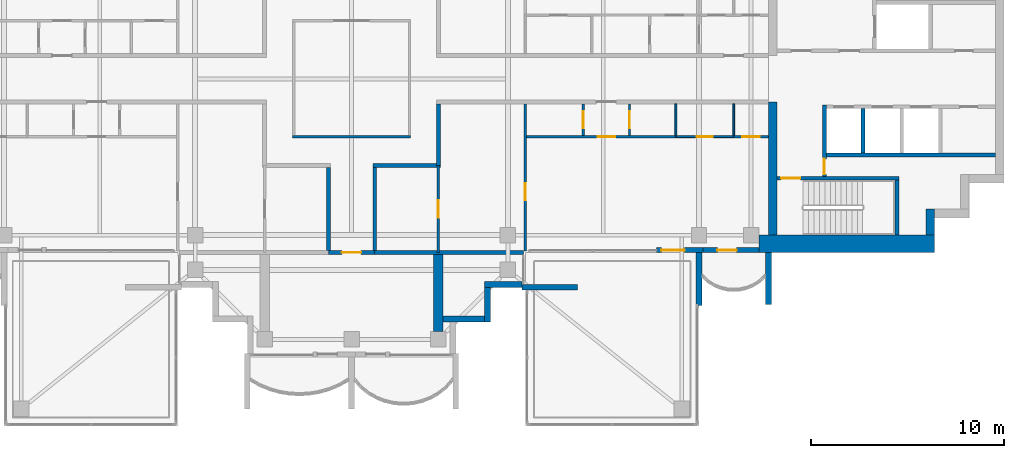
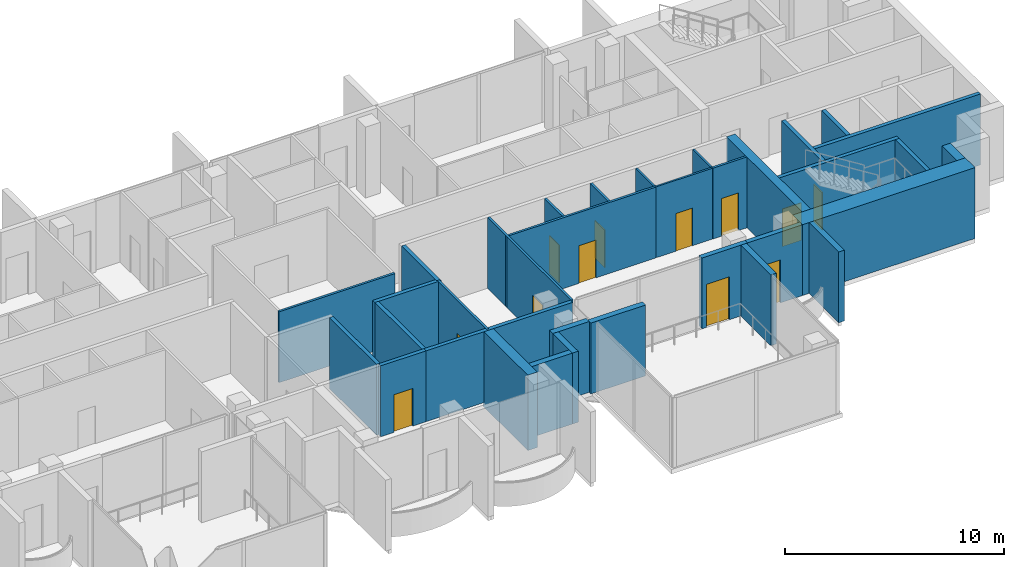
# One storey, part 9 of 16: 33 walls, 12 doors, 12 openings.
"""IFC4 building model written with IfcOpenShell, lengths in metres."""

from ifc_helpers import new_model, si_unit, direction, frame, frame_2d, origin, place, context, subcontext, project, spatial, polyline, rectangle, outline, extrude, material, layer, layer_set, material_profile, profile_set, type_object, element, fill, save


model = new_model("IFC4")

# Units and contexts
model_context = context("Model", 3, precision=1e-05, world=origin(), true_north=direction((0.0, 1.0)))
body_context = subcontext(model_context, "Body", "Model", "MODEL_VIEW")
ifc_project = project(units=[si_unit("LENGTHUNIT", "METRE"), si_unit("AREAUNIT", "SQUARE_METRE"), si_unit("VOLUMEUNIT", "CUBIC_METRE"), si_unit("PLANEANGLEUNIT", "RADIAN"), si_unit("MASSUNIT", "GRAM", prefix="KILO")], contexts=[model_context])

# Site, building, storey
site_placement = place(None, origin())
site = spatial("IfcSite", under=ifc_project, at=site_placement, CompositionType="ELEMENT")
building_placement = place(site_placement, origin())
building = spatial("IfcBuilding", under=site, at=building_placement, Name="Perihelion Cross Residences", CompositionType="ELEMENT")
storey_placement = place(building_placement, frame((0.0, 0.0, 294.60009765625)))
storey = spatial("IfcBuildingStorey", under=building, at=storey_placement, Name="L75", CompositionType="ELEMENT", Elevation=294.60009765625)

# Walls
ifc_material_1 = material(Name="Plasterboard partition")
ifc_layer_1 = layer(ifc_material_1, 0.199951171875)
ifc_layer_set_1 = layer_set([ifc_layer_1], Name="Apartment separation wall 200")
wall_type_1 = type_object("IfcWallType", Name="Apartment separation wall 200", PredefinedType="PARTITIONING", material=ifc_layer_set_1)
wall_1_placement = place(storey_placement, frame((4.5, -1.300048828125, 0.0), z_axis=(0.0, 0.0, 1.0), x_axis=(0.0, -1.0, 0.0)))
element("IfcWall", 1, at=wall_1_placement, inside=storey, type_object=wall_type_1, Name="Partition L75 W010", PredefinedType="PARTITIONING", context=body_context, shape_type="SweptSolid", body=[
    extrude(rectangle(XDim=3.199951171875, YDim=0.199951171875, at=frame_2d((1.60009765625, 0.0))), origin(), (0.0, 0.0, 1.0), 3.949951171875),
])
wall_2_placement = place(storey_placement, frame((4.60009765625, -4.5, 0.0), z_axis=(0.0, 0.0, 1.0), x_axis=(-1.0, 0.0, 0.0)))
element("IfcWall", 2, at=wall_2_placement, inside=storey, type_object=wall_type_1, Name="Partition L75 W011", PredefinedType="PARTITIONING", context=body_context, shape_type="SweptSolid", body=[
    extrude(rectangle(XDim=3.5, YDim=0.199951171875, at=frame_2d((1.75, 0.0))), origin(), (0.0, 0.0, 1.0), 3.949951171875),
])
for number, where, z_axis, x_axis, name in (
    (3, (1.199951171875, -4.60009765625, 0.0), (0.0, 0.0, 1.0), (0.0, -1.0, 0.0), "Partition L75 W012"),
    (4, (-1.199951171875, -8.89990234375, 0.0), (0.0, 0.0, 1.0), (0.0, 1.0, 0.0), "Partition L75 W019"),
):
    element("IfcWall", number, at=place(storey_placement, frame(where, z_axis=z_axis, x_axis=x_axis)), inside=storey, type_object=wall_type_1, Name=name, PredefinedType="PARTITIONING", context=body_context, shape_type="SweptSolid", body=[
        extrude(rectangle(XDim=4.2998046875, YDim=0.199951171875, at=frame_2d((2.14990234375, 0.0))), origin(), (0.0, 0.0, 1.0), 3.949951171875),
    ])

# Wall, opening, door
wall_3_placement = place(storey_placement, frame((1.199951171875, -9.0, 0.0), z_axis=(0.0, 0.0, 1.0), x_axis=(-1.0, 0.0, 0.0)))
wall_3 = element("IfcWall", 5, at=wall_3_placement, inside=storey, type_object=wall_type_1, Name="Partition L75 W021", PredefinedType="PARTITIONING", context=body_context, shape_type="SweptSolid", body=[
    extrude(rectangle(XDim=2.39990234375, YDim=0.199951171875, at=frame_2d((1.199951171875, 0.0))), origin(), (0.0, 0.0, 1.0), 3.949951171875),
])
opening_1_placement = place(wall_3_placement, frame((0.699951171875, 0.0, 0.0)))
opening_1 = element("IfcOpeningElement", 6, at=opening_1_placement, cuts=wall_3, Name="Opening L75.A34", PredefinedType="OPENING", context=body_context, shape_type="SweptSolid", body=[
    extrude(rectangle(XDim=1.0, YDim=2.10009765625, at=frame_2d((0.5, 1.050048828125))), frame((0.0, 0.10986328125, 0.0), z_axis=(0.0, -1.0, 0.0), x_axis=(1.0, 0.0, 0.0)), (0.0, 0.0, 1.0), 0.219970703125),
])
ifc_material_2 = material(Name="Timber door leaf", Category="wood")
door_type_1 = type_object("IfcDoorType", Name="Flat entrance door 1000 x 2100", OperationType="SINGLE_SWING_LEFT", PredefinedType="DOOR", material=ifc_material_2)
door_1_placement = place(opening_1_placement, origin())
door_1 = element("IfcDoor", 7, at=door_1_placement, inside=storey, type_object=door_type_1, Name="Door L75.A34", OperationType="SINGLE_SWING_LEFT", OverallHeight=2.10009765625, OverallWidth=1.0, PredefinedType="DOOR", context=body_context, shape_type="SweptSolid", body=[
    extrude(rectangle(XDim=1.0, YDim=2.10009765625, at=frame_2d((0.5, 1.050048828125))), frame((0.0, 0.02490234375, 0.0), z_axis=(0.0, -1.0, 0.0), x_axis=(1.0, 0.0, 0.0)), (0.0, 0.0, 1.0), 0.050048828125),
])
fill(opening_1, door_1)

# Wall
wall_4_placement = place(storey_placement, frame((8.919921875, -9.0, 0.0), z_axis=(0.0, 0.0, 1.0), x_axis=(-1.0, 0.0, 0.0)))
element("IfcWall", 8, at=wall_4_placement, inside=storey, type_object=wall_type_1, Name="Partition L75 W046", PredefinedType="PARTITIONING", context=body_context, shape_type="SweptSolid", body=[
    extrude(rectangle(XDim=7.719970703125, YDim=0.199951171875, at=frame_2d((3.85986328125, 0.0))), origin(), (0.0, 0.0, 1.0), 3.949951171875),
])

# Wall, opening, door
ifc_material_3 = material(Name="Concrete C30/37, bronze-clad", Category="concrete")
ifc_layer_2 = layer(ifc_material_3, 0.25)
ifc_layer_set_2 = layer_set([ifc_layer_2], Name="Bronze-clad pier wall 250")
wall_type_2 = type_object("IfcWallType", Name="Bronze-clad pier wall 250", PredefinedType="SOLIDWALL", material=ifc_layer_set_2)
wall_5_placement = place(storey_placement, frame((15.800048828125, -8.875, 0.0), z_axis=(0.0, 0.0, 1.0), x_axis=(1.0, 0.0, 0.0)))
wall_5 = element("IfcWall", 9, at=wall_5_placement, inside=storey, type_object=wall_type_2, Name="Wall FW1 L75 east side south bay 1 pier", PredefinedType="SOLIDWALL", context=body_context, shape_type="SweptSolid", body=[
    extrude(rectangle(XDim=2.39990234375, YDim=0.25, at=frame_2d((1.199951171875, 0.0))), origin(), (0.0, 0.0, 1.0), 3.949951171875),
])
opening_2_placement = place(wall_5_placement, frame((0.25, 0.0, 0.0)))
opening_2 = element("IfcOpeningElement", 10, at=opening_2_placement, cuts=wall_5, Name="Opening L75.E11", PredefinedType="OPENING", context=body_context, shape_type="SweptSolid", body=[
    extrude(rectangle(XDim=1.199951171875, YDim=2.39990234375, at=frame_2d((0.60009765625, 1.199951171875))), frame((0.0, 0.135009765625, 0.0), z_axis=(0.0, -1.0, 0.0), x_axis=(1.0, 0.0, 0.0)), (0.0, 0.0, 1.0), 0.27001953125),
])
ifc_material_4 = material(Name="Bronze anodised aluminium, glazed", Category="aluminium")
door_type_2 = type_object("IfcDoorType", Name="Balcony door 1200 x 2400", OperationType="NOTDEFINED", PredefinedType="DOOR", material=ifc_material_4)
door_2_placement = place(opening_2_placement, origin())
door_2 = element("IfcDoor", 11, at=door_2_placement, inside=storey, type_object=door_type_2, Name="Door L75.E11 east side south bay 1", OperationType="SINGLE_SWING_LEFT", OverallHeight=2.39990234375, OverallWidth=1.199951171875, PredefinedType="DOOR", context=body_context, shape_type="SweptSolid", body=[
    extrude(rectangle(XDim=1.199951171875, YDim=2.39990234375, at=frame_2d((0.60009765625, 1.199951171875))), frame((0.0, 0.02490234375, 0.0), z_axis=(0.0, -1.0, 0.0), x_axis=(1.0, 0.0, 0.0)), (0.0, 0.0, 1.0), 0.050048828125),
])
fill(opening_2, door_2)

wall_6_placement = place(storey_placement, frame((18.199951171875, -8.875, 0.0), z_axis=(0.0, 0.0, 1.0), x_axis=(1.0, 0.0, 0.0)))
wall_6 = element("IfcWall", 12, at=wall_6_placement, inside=storey, type_object=wall_type_2, Name="Wall FW1 L75 east side south bay 2 pier", PredefinedType="SOLIDWALL", context=body_context, shape_type="SweptSolid", body=[
    extrude(rectangle(XDim=2.900146484375, YDim=0.25, at=frame_2d((1.4501953125, 0.0))), origin(), (0.0, 0.0, 1.0), 3.949951171875),
])
opening_3_placement = place(wall_6_placement, frame((0.75, 0.0, 0.0)))
opening_3 = element("IfcOpeningElement", 13, at=opening_3_placement, cuts=wall_6, Name="Opening L75.E12", PredefinedType="OPENING", context=body_context, shape_type="SweptSolid", body=[
    extrude(rectangle(XDim=1.0, YDim=2.39990234375, at=frame_2d((0.5, 1.199951171875))), frame((0.0, 0.135009765625, 0.0), z_axis=(0.0, -1.0, 0.0), x_axis=(1.0, 0.0, 0.0)), (0.0, 0.0, 1.0), 0.27001953125),
])
ifc_material_5 = material(Name="Bronze anodised aluminium, glazed", Category="aluminium")
door_type_3 = type_object("IfcDoorType", Name="Balcony door 1000 x 2400", OperationType="NOTDEFINED", PredefinedType="DOOR", material=ifc_material_5)
door_3_placement = place(opening_3_placement, origin())
door_3 = element("IfcDoor", 14, at=door_3_placement, inside=storey, type_object=door_type_3, Name="Door L75.E12 east side south bay 2", OperationType="SINGLE_SWING_RIGHT", OverallHeight=2.39990234375, OverallWidth=1.0, PredefinedType="DOOR", context=body_context, shape_type="SweptSolid", body=[
    extrude(rectangle(XDim=1.0, YDim=2.39990234375, at=frame_2d((0.5, 1.199951171875))), frame((0.0, 0.02490234375, 0.0), z_axis=(0.0, -1.0, 0.0), x_axis=(1.0, 0.0, 0.0)), (0.0, 0.0, 1.0), 0.050048828125),
])
fill(opening_3, door_3)

# Walls
ifc_material_6 = material(Name="Concrete C30/37, bronze-clad", Category="concrete")
ifc_layer_3 = layer(ifc_material_6, 0.300048828125)
ifc_layer_set_3 = layer_set([ifc_layer_3], Name="Bronze-clad serration wall 300")
wall_type_3 = type_object("IfcWallType", Name="Bronze-clad serration wall 300", PredefinedType="SOLIDWALL", material=ifc_layer_set_3)
wall_7_placement = place(storey_placement, frame((4.75, -12.449951171875, 0.0), z_axis=(0.0, 0.0, 1.0), x_axis=(1.0, 0.0, 0.0)))
element("IfcWall", 15, at=wall_7_placement, inside=storey, type_object=wall_type_3, Name="Wall SR1 L75 south corner south-east 2", PredefinedType="SOLIDWALL", context=body_context, shape_type="SweptSolid", body=[
    extrude(rectangle(XDim=2.14990234375, YDim=0.300048828125, at=frame_2d((1.074951171875, 0.0))), origin(), (0.0, 0.0, 1.0), 3.949951171875),
])
wall_8_placement = place(storey_placement, frame((7.050048828125, -12.60009765625, 0.0), z_axis=(0.0, 0.0, 1.0), x_axis=(0.0, 1.0, 0.0)))
element("IfcWall", 16, at=wall_8_placement, inside=storey, type_object=wall_type_3, Name="Wall SR1 L75 south corner south-east 3", PredefinedType="SOLIDWALL", context=body_context, shape_type="SweptSolid", body=[
    extrude(rectangle(XDim=1.800048828125, YDim=0.300048828125, at=frame_2d((0.89990234375, 0.0))), origin(), (0.0, 0.0, 1.0), 3.949951171875),
])
wall_9_placement = place(storey_placement, frame((6.89990234375, -10.64990234375, 0.0), z_axis=(0.0, 0.0, 1.0), x_axis=(1.0, 0.0, 0.0)))
element("IfcWall", 17, at=wall_9_placement, inside=storey, type_object=wall_type_3, Name="Wall SR1 L75 south corner south-east 4", PredefinedType="SOLIDWALL", context=body_context, shape_type="SweptSolid", body=[
    extrude(rectangle(XDim=1.920166015625, YDim=0.300048828125, at=frame_2d((0.9599609375, 0.0))), origin(), (0.0, 0.0, 1.0), 3.949951171875),
])
ifc_material_7 = material(Name="Concrete C60/75", Category="concrete")
ifc_layer_4 = layer(ifc_material_7, 0.449951171875)
ifc_layer_set_4 = layer_set([ifc_layer_4], Name="Core wall, inner 450")
wall_type_4 = type_object("IfcWallType", Name="Core wall, inner 450", PredefinedType="SHEAR", material=ifc_layer_set_4)
wall_10_placement = place(storey_placement, frame((21.824951171875, -8.10009765625, 0.0), z_axis=(0.0, 0.0, 1.0), x_axis=(0.0, 1.0, 0.0)))
element("IfcWall", 18, at=wall_10_placement, inside=storey, type_object=wall_type_4, Name="East core core wall, inner", PredefinedType="SHEAR", context=body_context, shape_type="SweptSolid", body=[
    extrude(rectangle(XDim=6.900146484375, YDim=0.449951171875, at=frame_2d((3.4501953125, 0.0))), origin(), (0.0, 0.0, 1.0), 3.949951171875),
])
ifc_material_8 = material(Name="Concrete C60/75", Category="concrete")
ifc_layer_5 = layer(ifc_material_8, 0.449951171875)
ifc_layer_set_5 = layer_set([ifc_layer_5], Name="Core wall, outer 450")
wall_type_5 = type_object("IfcWallType", Name="Core wall, outer 450", PredefinedType="SHEAR", material=ifc_layer_set_5)
wall_11_placement = place(storey_placement, frame((29.97509765625, -8.10009765625, 0.0), z_axis=(0.0, 0.0, 1.0), x_axis=(0.0, 1.0, 0.0)))
element("IfcWall", 19, at=wall_11_placement, inside=storey, type_object=wall_type_5, Name="East core core wall, outer", PredefinedType="SHEAR", context=body_context, shape_type="SweptSolid", body=[
    extrude(rectangle(XDim=1.35009765625, YDim=0.449951171875, at=frame_2d((0.675048828125, 0.0))), origin(), (0.0, 0.0, 1.0), 3.949951171875),
])
ifc_material_9 = material(Name="Concrete C60/75", Category="concrete")
ifc_layer_6 = layer(ifc_material_9, 0.89990234375)
ifc_layer_set_6 = layer_set([ifc_layer_6], Name="Core wall, outer 900")
wall_type_6 = type_object("IfcWallType", Name="Core wall, outer 900", PredefinedType="SHEAR", material=ifc_layer_set_6)
wall_12_placement = place(storey_placement, frame((21.10009765625, -8.550048828125, 0.0), z_axis=(0.0, 0.0, 1.0), x_axis=(1.0, 0.0, 0.0)))
element("IfcWall", 20, at=wall_12_placement, inside=storey, type_object=wall_type_6, Name="East core core wall, outer", PredefinedType="SHEAR", context=body_context, shape_type="SweptSolid", body=[
    extrude(rectangle(XDim=9.099853515625, YDim=0.89990234375, at=frame_2d((4.5498046875, 0.0))), origin(), (0.0, 0.0, 1.0), 3.949951171875),
])

# Wall, opening, door
ifc_material_10 = material(Name="Concrete C50/60", Category="concrete")
ifc_layer_7 = layer(ifc_material_10, 0.199951171875)
ifc_layer_set_7 = layer_set([ifc_layer_7], Name="Lobby wall 200")
wall_type_7 = type_object("IfcWallType", Name="Lobby wall 200", PredefinedType="SOLIDWALL", material=ifc_layer_set_7)
wall_13_placement = place(storey_placement, frame((24.5, -5.050048828125, 0.0), z_axis=(0.0, 0.0, 1.0), x_axis=(0.0, 1.0, 0.0)))
wall_13 = element("IfcWall", 21, at=wall_13_placement, inside=storey, type_object=wall_type_7, Name="East core lobby wall", PredefinedType="SOLIDWALL", context=body_context, shape_type="SweptSolid", body=[
    extrude(rectangle(XDim=3.699951171875, YDim=0.199951171875, at=frame_2d((1.85009765625, 0.0))), origin(), (0.0, 0.0, 1.0), 3.949951171875),
])
opening_4_placement = place(wall_13_placement, frame((0.10009765625, 0.0, 0.0)))
opening_4 = element("IfcOpeningElement", 22, at=opening_4_placement, cuts=wall_13, Name="Opening L75.C08", PredefinedType="OPENING", context=body_context, shape_type="SweptSolid", body=[
    extrude(rectangle(XDim=0.800048828125, YDim=2.10009765625, at=frame_2d((0.39990234375, 1.050048828125))), frame((0.0, 0.10986328125, 0.0), z_axis=(0.0, -1.0, 0.0), x_axis=(1.0, 0.0, 0.0)), (0.0, 0.0, 1.0), 0.219970703125),
])
ifc_material_11 = material(Name="Steel, powder coated", Category="steel")
door_type_4 = type_object("IfcDoorType", Name="Riser door 800", OperationType="SINGLE_SWING_LEFT", PredefinedType="DOOR", material=ifc_material_11)
door_4_placement = place(opening_4_placement, origin())
door_4 = element("IfcDoor", 23, at=door_4_placement, inside=storey, type_object=door_type_4, Name="East core riser door", OperationType="SINGLE_SWING_LEFT", OverallHeight=2.10009765625, OverallWidth=0.800048828125, PredefinedType="DOOR", context=body_context, shape_type="SweptSolid", body=[
    extrude(rectangle(XDim=0.800048828125, YDim=2.10009765625, at=frame_2d((0.39990234375, 1.050048828125))), frame((0.0, 0.02490234375, 0.0), z_axis=(0.0, -1.0, 0.0), x_axis=(1.0, 0.0, 0.0)), (0.0, 0.0, 1.0), 0.050048828125),
])
fill(opening_4, door_4)

# Wall
ifc_material_12 = material(Name="Plasterboard partition")
ifc_layer_8 = layer(ifc_material_12, 0.1201171875)
ifc_layer_set_8 = layer_set([ifc_layer_8], Name="Partition wall 120")
wall_type_8 = type_object("IfcWallType", Name="Partition wall 120", PredefinedType="PARTITIONING", material=ifc_layer_set_8)
wall_14_placement = place(storey_placement, frame((-3.06005859375, -3.0, 0.0), z_axis=(0.0, 0.0, 1.0), x_axis=(1.0, 0.0, 0.0)))
element("IfcWall", 24, at=wall_14_placement, inside=storey, type_object=wall_type_8, Name="Partition L75 W001", PredefinedType="PARTITIONING", context=body_context, shape_type="SweptSolid", body=[
    extrude(rectangle(XDim=6.1201171875, YDim=0.1201171875, at=frame_2d((3.06005859375, 0.0))), origin(), (0.0, 0.0, 1.0), 3.949951171875),
])

# Wall, opening, door
wall_15_placement = place(storey_placement, frame((12.0, -1.300048828125, 0.0), z_axis=(0.0, 0.0, 1.0), x_axis=(0.0, -1.0, 0.0)))
wall_15 = element("IfcWall", 25, at=wall_15_placement, inside=storey, type_object=wall_type_8, Name="Partition L75 W037", PredefinedType="PARTITIONING", context=body_context, shape_type="SweptSolid", body=[
    extrude(rectangle(XDim=1.639892578125, YDim=0.1201171875, at=frame_2d((0.81982421875, 0.0))), origin(), (0.0, 0.0, 1.0), 3.949951171875),
])
opening_5_placement = place(wall_15_placement, frame((0.3701171875, 0.0, 0.0)))
opening_5 = element("IfcOpeningElement", 26, at=opening_5_placement, cuts=wall_15, Name="Opening L75.A14", PredefinedType="OPENING", context=body_context, shape_type="SweptSolid", body=[
    extrude(rectangle(XDim=0.89990234375, YDim=2.10009765625, at=frame_2d((0.449951171875, 1.050048828125))), frame((0.0, 0.070068359375, 0.0), z_axis=(0.0, -1.0, 0.0), x_axis=(1.0, 0.0, 0.0)), (0.0, 0.0, 1.0), 0.14013671875),
])
ifc_material_13 = material(Name="Timber door leaf", Category="wood")
door_type_5 = type_object("IfcDoorType", Name="Interior room door 900 x 2100", OperationType="SINGLE_SWING_LEFT", PredefinedType="DOOR", material=ifc_material_13)
door_5_placement = place(opening_5_placement, origin())
door_5 = element("IfcDoor", 27, at=door_5_placement, inside=storey, type_object=door_type_5, Name="Door L75.A14", OperationType="SINGLE_SWING_LEFT", OverallHeight=2.10009765625, OverallWidth=0.89990234375, PredefinedType="DOOR", context=body_context, shape_type="SweptSolid", body=[
    extrude(rectangle(XDim=0.89990234375, YDim=2.10009765625, at=frame_2d((0.449951171875, 1.050048828125))), frame((0.0, 0.02490234375, 0.0), z_axis=(0.0, -1.0, 0.0), x_axis=(1.0, 0.0, 0.0)), (0.0, 0.0, 1.0), 0.050048828125),
])
fill(opening_5, door_5)

wall_16_placement = place(storey_placement, frame((16.800048828125, -3.0, 0.0), z_axis=(0.0, 0.0, 1.0), x_axis=(-1.0, 0.0, 0.0)))
wall_16 = element("IfcWall", 28, at=wall_16_placement, inside=storey, type_object=wall_type_8, Name="Partition L75 W038", PredefinedType="PARTITIONING", context=body_context, shape_type="SweptSolid", body=[
    extrude(rectangle(XDim=7.860107421875, YDim=0.1201171875, at=frame_2d((3.93017578125, 0.0))), origin(), (0.0, 0.0, 1.0), 3.949951171875),
])
opening_6_placement = place(wall_16_placement, frame((3.14990234375, 0.0, 0.0)))
opening_6 = element("IfcOpeningElement", 29, at=opening_6_placement, cuts=wall_16, Name="Opening L75.A16", PredefinedType="OPENING", context=body_context, shape_type="SweptSolid", body=[
    extrude(rectangle(XDim=0.89990234375, YDim=2.10009765625, at=frame_2d((0.449951171875, 1.050048828125))), frame((0.0, 0.070068359375, 0.0), z_axis=(0.0, -1.0, 0.0), x_axis=(1.0, 0.0, 0.0)), (0.0, 0.0, 1.0), 0.14013671875),
])
door_6_placement = place(opening_6_placement, origin())
door_6 = element("IfcDoor", 30, at=door_6_placement, inside=storey, type_object=door_type_5, Name="Door L75.A16", OperationType="SINGLE_SWING_LEFT", OverallHeight=2.10009765625, OverallWidth=0.89990234375, PredefinedType="DOOR", context=body_context, shape_type="SweptSolid", body=[
    extrude(rectangle(XDim=0.89990234375, YDim=2.10009765625, at=frame_2d((0.449951171875, 1.050048828125))), frame((0.0, 0.02490234375, 0.0), z_axis=(0.0, -1.0, 0.0), x_axis=(1.0, 0.0, 0.0)), (0.0, 0.0, 1.0), 0.050048828125),
])
fill(opening_6, door_6)

wall_17_placement = place(storey_placement, frame((9.0, -8.919921875, 0.0), z_axis=(0.0, 0.0, 1.0), x_axis=(0.0, 1.0, 0.0)))
wall_17 = element("IfcWall", 31, at=wall_17_placement, inside=storey, type_object=wall_type_8, Name="Partition L75 W039", PredefinedType="PARTITIONING", context=body_context, shape_type="SweptSolid", body=[
    extrude(rectangle(XDim=7.619873046875, YDim=0.1201171875, at=frame_2d((3.81005859375, 0.0))), origin(), (0.0, 0.0, 1.0), 3.949951171875),
])
opening_7_placement = place(wall_17_placement, frame((2.6201171875, 0.0, 0.0)))
opening_7 = element("IfcOpeningElement", 32, at=opening_7_placement, cuts=wall_17, Name="Opening L75.A17", PredefinedType="OPENING", context=body_context, shape_type="SweptSolid", body=[
    extrude(rectangle(XDim=0.89990234375, YDim=2.10009765625, at=frame_2d((0.449951171875, 1.050048828125))), frame((0.0, 0.070068359375, 0.0), z_axis=(0.0, -1.0, 0.0), x_axis=(1.0, 0.0, 0.0)), (0.0, 0.0, 1.0), 0.14013671875),
])
door_7_placement = place(opening_7_placement, origin())
door_7 = element("IfcDoor", 33, at=door_7_placement, inside=storey, type_object=door_type_5, Name="Door L75.A17", OperationType="SINGLE_SWING_LEFT", OverallHeight=2.10009765625, OverallWidth=0.89990234375, PredefinedType="DOOR", context=body_context, shape_type="SweptSolid", body=[
    extrude(rectangle(XDim=0.89990234375, YDim=2.10009765625, at=frame_2d((0.449951171875, 1.050048828125))), frame((0.0, 0.02490234375, 0.0), z_axis=(0.0, -1.0, 0.0), x_axis=(1.0, 0.0, 0.0)), (0.0, 0.0, 1.0), 0.050048828125),
])
fill(opening_7, door_7)

wall_18_placement = place(storey_placement, frame((14.39990234375, -1.300048828125, 0.0), z_axis=(0.0, 0.0, 1.0), x_axis=(0.0, -1.0, 0.0)))
wall_18 = element("IfcWall", 34, at=wall_18_placement, inside=storey, type_object=wall_type_8, Name="Partition L75 W040", PredefinedType="PARTITIONING", context=body_context, shape_type="SweptSolid", body=[
    extrude(rectangle(XDim=1.639892578125, YDim=0.1201171875, at=frame_2d((0.81982421875, 0.0))), origin(), (0.0, 0.0, 1.0), 3.949951171875),
])
opening_8_placement = place(wall_18_placement, frame((0.3701171875, 0.0, 0.0)))
opening_8 = element("IfcOpeningElement", 35, at=opening_8_placement, cuts=wall_18, Name="Opening L75.A18", PredefinedType="OPENING", context=body_context, shape_type="SweptSolid", body=[
    extrude(rectangle(XDim=0.89990234375, YDim=2.10009765625, at=frame_2d((0.449951171875, 1.050048828125))), frame((0.0, 0.070068359375, 0.0), z_axis=(0.0, -1.0, 0.0), x_axis=(1.0, 0.0, 0.0)), (0.0, 0.0, 1.0), 0.14013671875),
])
door_8_placement = place(opening_8_placement, origin())
door_8 = element("IfcDoor", 36, at=door_8_placement, inside=storey, type_object=door_type_5, Name="Door L75.A18", OperationType="SINGLE_SWING_RIGHT", OverallHeight=2.10009765625, OverallWidth=0.89990234375, PredefinedType="DOOR", context=body_context, shape_type="SweptSolid", body=[
    extrude(rectangle(XDim=0.89990234375, YDim=2.10009765625, at=frame_2d((0.449951171875, 1.050048828125))), frame((0.0, 0.02490234375, 0.0), z_axis=(0.0, -1.0, 0.0), x_axis=(1.0, 0.0, 0.0)), (0.0, 0.0, 1.0), 0.050048828125),
])
fill(opening_8, door_8)

wall_19_placement = place(storey_placement, frame((21.60009765625, -3.0, 0.0), z_axis=(0.0, 0.0, 1.0), x_axis=(-1.0, 0.0, 0.0)))
wall_19 = element("IfcWall", 37, at=wall_19_placement, inside=storey, type_object=wall_type_8, Name="Partition L75 W044", PredefinedType="PARTITIONING", context=body_context, shape_type="SweptSolid", body=[
    extrude(rectangle(XDim=1.800048828125, YDim=0.1201171875, at=frame_2d((0.89990234375, 0.0))), origin(), (0.0, 0.0, 1.0), 3.949951171875),
])
opening_9_placement = place(wall_19_placement, frame((0.449951171875, 0.0, 0.0)))
opening_9 = element("IfcOpeningElement", 38, at=opening_9_placement, cuts=wall_19, Name="Opening L75.A15", PredefinedType="OPENING", context=body_context, shape_type="SweptSolid", body=[
    extrude(rectangle(XDim=0.89990234375, YDim=2.10009765625, at=frame_2d((0.449951171875, 1.050048828125))), frame((0.0, 0.070068359375, 0.0), z_axis=(0.0, -1.0, 0.0), x_axis=(1.0, 0.0, 0.0)), (0.0, 0.0, 1.0), 0.14013671875),
])
door_9_placement = place(opening_9_placement, origin())
door_9 = element("IfcDoor", 39, at=door_9_placement, inside=storey, type_object=door_type_5, Name="Door L75.A15", OperationType="SINGLE_SWING_RIGHT", OverallHeight=2.10009765625, OverallWidth=0.89990234375, PredefinedType="DOOR", context=body_context, shape_type="SweptSolid", body=[
    extrude(rectangle(XDim=0.89990234375, YDim=2.10009765625, at=frame_2d((0.449951171875, 1.050048828125))), frame((0.0, 0.02490234375, 0.0), z_axis=(0.0, -1.0, 0.0), x_axis=(1.0, 0.0, 0.0)), (0.0, 0.0, 1.0), 0.050048828125),
])
fill(opening_9, door_9)

wall_20_placement = place(storey_placement, frame((4.5, -9.0, 0.0), z_axis=(0.0, 0.0, 1.0), x_axis=(0.0, 1.0, 0.0)))
wall_20 = element("IfcWall", 40, at=wall_20_placement, inside=storey, type_object=wall_type_8, Name="Partition L75 W045", PredefinedType="PARTITIONING", context=body_context, shape_type="SweptSolid", body=[
    extrude(rectangle(XDim=4.5, YDim=0.1201171875, at=frame_2d((2.25, 0.0))), origin(), (0.0, 0.0, 1.0), 3.949951171875),
])
opening_10_placement = place(wall_20_placement, frame((1.800048828125, 0.0, 0.0)))
opening_10 = element("IfcOpeningElement", 41, at=opening_10_placement, cuts=wall_20, Name="Opening L75.A13", PredefinedType="OPENING", context=body_context, shape_type="SweptSolid", body=[
    extrude(rectangle(XDim=0.89990234375, YDim=2.10009765625, at=frame_2d((0.449951171875, 1.050048828125))), frame((0.0, 0.070068359375, 0.0), z_axis=(0.0, -1.0, 0.0), x_axis=(1.0, 0.0, 0.0)), (0.0, 0.0, 1.0), 0.14013671875),
])
door_10_placement = place(opening_10_placement, origin())
door_10 = element("IfcDoor", 42, at=door_10_placement, inside=storey, type_object=door_type_5, Name="Door L75.A13", OperationType="SINGLE_SWING_RIGHT", OverallHeight=2.10009765625, OverallWidth=0.89990234375, PredefinedType="DOOR", context=body_context, shape_type="SweptSolid", body=[
    extrude(rectangle(XDim=0.89990234375, YDim=2.10009765625, at=frame_2d((0.449951171875, 1.050048828125))), frame((0.0, 0.02490234375, 0.0), z_axis=(0.0, -1.0, 0.0), x_axis=(1.0, 0.0, 0.0)), (0.0, 0.0, 1.0), 0.050048828125),
])
fill(opening_10, door_10)

# Walls
ifc_material_14 = material(Name="Precast concrete C50/60", Category="concrete")
ifc_layer_9 = layer(ifc_material_14, 0.300048828125)
ifc_layer_set_9 = layer_set([ifc_layer_9], Name="Precast concrete C50/60 blade wall 300")
wall_type_9 = type_object("IfcWallType", Name="Precast concrete C50/60 blade wall 300", PredefinedType="SOLIDWALL", material=ifc_layer_set_9)
wall_21_placement = place(storey_placement, frame((8.820068359375, -10.800048828125, 0.0), z_axis=(0.0, 0.0, 1.0), x_axis=(1.0, 0.0, 0.0)))
element("IfcWall", 43, at=wall_21_placement, inside=storey, type_object=wall_type_9, Name="Wall BL1 L75 no. 15", PredefinedType="SOLIDWALL", context=body_context, shape_type="SweptSolid", body=[
    extrude(rectangle(XDim=2.8798828125, YDim=0.300048828125, at=frame_2d((1.43994140625, 0.0))), origin(), (0.0, 0.0, 1.0), 3.949951171875),
])
wall_22_placement = place(storey_placement, frame((18.0, -9.0, 0.0), z_axis=(0.0, 0.0, 1.0), x_axis=(0.0, -1.0, 0.0)))
element("IfcWall", 44, at=wall_22_placement, inside=storey, type_object=wall_type_9, Name="Wall BL1 L75 no. 10", PredefinedType="SOLIDWALL", context=body_context, shape_type="SweptSolid", body=[
    extrude(rectangle(XDim=2.739990234375, YDim=0.300048828125, at=frame_2d((1.3701171875, 0.0))), origin(), (0.0, 0.0, 1.0), 3.949951171875),
])
wall_23_placement = place(storey_placement, frame((21.60009765625, -9.0, 0.0), z_axis=(0.0, 0.0, 1.0), x_axis=(0.0, -1.0, 0.0)))
element("IfcWall", 45, at=wall_23_placement, inside=storey, type_object=wall_type_9, Name="Wall BL1 L75 no. 12", PredefinedType="SOLIDWALL", context=body_context, shape_type="SweptSolid", body=[
    extrude(rectangle(XDim=2.699951171875, YDim=0.300048828125, at=frame_2d((1.35009765625, 0.0))), origin(), (0.0, 0.0, 1.0), 3.949951171875),
])
ifc_material_15 = material(Name="Concrete C50/60", Category="concrete")
ifc_layer_10 = layer(ifc_material_15, 0.199951171875)
ifc_layer_set_10 = layer_set([ifc_layer_10], Name="Shaft wall 200")
wall_type_10 = type_object("IfcWallType", Name="Shaft wall 200", PredefinedType="SOLIDWALL", material=ifc_layer_set_10)
wall_24_placement = place(storey_placement, frame((24.60009765625, -3.949951171875, 0.0), z_axis=(0.0, 0.0, 1.0), x_axis=(1.0, 0.0, 0.0)))
element("IfcWall", 46, at=wall_24_placement, inside=storey, type_object=wall_type_10, Name="East core shaft wall", PredefinedType="SOLIDWALL", context=body_context, shape_type="SweptSolid", body=[
    extrude(rectangle(XDim=8.75, YDim=0.199951171875, at=frame_2d((4.375, 0.0))), origin(), (0.0, 0.0, 1.0), 3.949951171875),
])
wall_25_placement = place(storey_placement, frame((26.5, -3.85009765625, 0.0), z_axis=(0.0, 0.0, 1.0), x_axis=(0.0, 1.0, 0.0)))
element("IfcWall", 47, at=wall_25_placement, inside=storey, type_object=wall_type_10, Name="East core shaft wall", PredefinedType="SOLIDWALL", context=body_context, shape_type="SweptSolid", body=[
    extrude(rectangle(XDim=2.300048828125, YDim=0.199951171875, at=frame_2d((1.14990234375, 0.0))), origin(), (0.0, 0.0, 1.0), 3.949951171875),
])

# Wall, opening, door
ifc_material_16 = material(Name="Concrete C50/60", Category="concrete")
ifc_layer_11 = layer(ifc_material_16, 0.199951171875)
ifc_layer_set_11 = layer_set([ifc_layer_11], Name="Stair wall 200")
wall_type_11 = type_object("IfcWallType", Name="Stair wall 200", PredefinedType="SOLIDWALL", material=ifc_layer_set_11)
wall_26_placement = place(storey_placement, frame((22.050048828125, -5.14990234375, 0.0), z_axis=(0.0, 0.0, 1.0), x_axis=(1.0, 0.0, 0.0)))
wall_26 = element("IfcWall", 48, at=wall_26_placement, inside=storey, type_object=wall_type_11, Name="East core stair wall", PredefinedType="SOLIDWALL", context=body_context, shape_type="SweptSolid", body=[
    extrude(rectangle(XDim=6.300048828125, YDim=0.199951171875, at=frame_2d((3.14990234375, 0.0))), origin(), (0.0, 0.0, 1.0), 3.949951171875),
])
opening_11_placement = place(wall_26_placement, frame((0.199951171875, 0.0, 0.0)))
opening_11 = element("IfcOpeningElement", 49, at=opening_11_placement, cuts=wall_26, Name="Opening L75.C05", PredefinedType="OPENING", context=body_context, shape_type="SweptSolid", body=[
    extrude(rectangle(XDim=1.0, YDim=2.10009765625, at=frame_2d((0.5, 1.050048828125))), frame((0.0, 0.10986328125, 0.0), z_axis=(0.0, -1.0, 0.0), x_axis=(1.0, 0.0, 0.0)), (0.0, 0.0, 1.0), 0.219970703125),
])
ifc_material_17 = material(Name="Steel, powder coated", Category="steel")
door_type_6 = type_object("IfcDoorType", Name="Stair door 1000", OperationType="SINGLE_SWING_LEFT", PredefinedType="DOOR", material=ifc_material_17)
door_11_placement = place(opening_11_placement, origin())
door_11 = element("IfcDoor", 50, at=door_11_placement, inside=storey, type_object=door_type_6, Name="East core stair door", OperationType="SINGLE_SWING_LEFT", OverallHeight=2.10009765625, OverallWidth=1.0, PredefinedType="DOOR", context=body_context, shape_type="SweptSolid", body=[
    extrude(rectangle(XDim=1.0, YDim=2.10009765625, at=frame_2d((0.5, 1.050048828125))), frame((0.0, 0.02490234375, 0.0), z_axis=(0.0, -1.0, 0.0), x_axis=(1.0, 0.0, 0.0)), (0.0, 0.0, 1.0), 0.050048828125),
])
fill(opening_11, door_11)

# Walls
wall_27_placement = place(storey_placement, frame((28.25, -8.10009765625, 0.0), z_axis=(0.0, 0.0, 1.0), x_axis=(0.0, 1.0, 0.0)))
element("IfcWall", 51, at=wall_27_placement, inside=storey, type_object=wall_type_11, Name="East core stair wall", PredefinedType="SOLIDWALL", context=body_context, shape_type="SweptSolid", body=[
    extrude(rectangle(XDim=2.85009765625, YDim=0.199951171875, at=frame_2d((1.425048828125, 0.0))), origin(), (0.0, 0.0, 1.0), 3.949951171875),
])
ifc_material_18 = material(Name="Concrete C50/60", Category="concrete")
ifc_material_profile = material_profile(ifc_material_18, outline(polyline([(0.0, 0.0), (4.10009765625, 0.0), (4.10009765625, 4.199951171875), (0.0, 4.199951171875), (0.0, 0.0)])), Name="Tip spine wall")
ifc_profile_set = profile_set([ifc_material_profile], Name="Concrete C50/60")
wall_type_12 = type_object("IfcWallType", Name="Tip spine wall 500 with 0 door openings 4100 long 4200 high concrete C50/60", PredefinedType="SHEAR", material=ifc_profile_set)
wall_28_placement = place(storey_placement, frame((4.25, -13.10009765625, -0.25), z_axis=(1.0, 0.0, 0.0), x_axis=(0.0, 1.0, 0.0)))
element("IfcWall", 52, at=wall_28_placement, inside=storey, type_object=wall_type_12, Name="Shear wall SW48 L75 south east", PredefinedType="SHEAR", context=body_context, shape_type="SweptSolid", body=[
    extrude(outline(polyline([(0.0, 0.0), (4.10009765625, 0.0), (4.10009765625, 4.199951171875), (0.0, 4.199951171875), (0.0, 0.0)])), origin(), (0.0, 0.0, 1.0), 0.5),
])
ifc_material_19 = material(Name="Plasterboard partition")
ifc_layer_12 = layer(ifc_material_19, 0.10009765625)
ifc_layer_set_12 = layer_set([ifc_layer_12], Name="Wet room wall 100")
wall_type_13 = type_object("IfcWallType", Name="Wet room wall 100", PredefinedType="PARTITIONING", material=ifc_layer_set_12)
for number, where, z_axis, x_axis, name in (
    (53, (16.800048828125, -1.300048828125, 0.0), (0.0, 0.0, 1.0), (0.0, -1.0, 0.0), "Partition L75 W041"),
    (54, (19.800048828125, -1.300048828125, 0.0), (0.0, 0.0, 1.0), (0.0, -1.0, 0.0), "Partition L75 W042"),
):
    element("IfcWall", number, at=place(storey_placement, frame(where, z_axis=z_axis, x_axis=x_axis)), inside=storey, type_object=wall_type_13, Name=name, PredefinedType="PARTITIONING", context=body_context, shape_type="SweptSolid", body=[
        extrude(rectangle(XDim=1.639892578125, YDim=0.10009765625, at=frame_2d((0.81982421875, 0.0))), origin(), (0.0, 0.0, 1.0), 3.949951171875),
    ])

# Wall, opening, door
wall_29_placement = place(storey_placement, frame((19.800048828125, -3.0, 0.0), z_axis=(0.0, 0.0, 1.0), x_axis=(-1.0, 0.0, 0.0)))
wall_29 = element("IfcWall", 55, at=wall_29_placement, inside=storey, type_object=wall_type_13, Name="Partition L75 W043", PredefinedType="PARTITIONING", context=body_context, shape_type="SweptSolid", body=[
    extrude(rectangle(XDim=3.0, YDim=0.10009765625, at=frame_2d((1.5, 0.0))), origin(), (0.0, 0.0, 1.0), 3.949951171875),
])
opening_12_placement = place(wall_29_placement, frame((1.074951171875, 0.0, 0.0)))
opening_12 = element("IfcOpeningElement", 56, at=opening_12_placement, cuts=wall_29, Name="Opening L75.A12", PredefinedType="OPENING", context=body_context, shape_type="SweptSolid", body=[
    extrude(rectangle(XDim=0.85009765625, YDim=2.10009765625, at=frame_2d((0.425048828125, 1.050048828125))), frame((0.0, 0.06005859375, 0.0), z_axis=(0.0, -1.0, 0.0), x_axis=(1.0, 0.0, 0.0)), (0.0, 0.0, 1.0), 0.1201171875),
])
ifc_material_20 = material(Name="Timber door leaf", Category="wood")
door_type_7 = type_object("IfcDoorType", Name="Interior bathroom door 850 x 2100", OperationType="SINGLE_SWING_LEFT", PredefinedType="DOOR", material=ifc_material_20)
door_12_placement = place(opening_12_placement, origin())
door_12 = element("IfcDoor", 57, at=door_12_placement, inside=storey, type_object=door_type_7, Name="Door L75.A12", OperationType="SINGLE_SWING_LEFT", OverallHeight=2.10009765625, OverallWidth=0.85009765625, PredefinedType="DOOR", context=body_context, shape_type="SweptSolid", body=[
    extrude(rectangle(XDim=0.85009765625, YDim=2.10009765625, at=frame_2d((0.425048828125, 1.050048828125))), frame((0.0, 0.02490234375, 0.0), z_axis=(0.0, -1.0, 0.0), x_axis=(1.0, 0.0, 0.0)), (0.0, 0.0, 1.0), 0.050048828125),
])
fill(opening_12, door_12)

save(model, "model.ifc")
